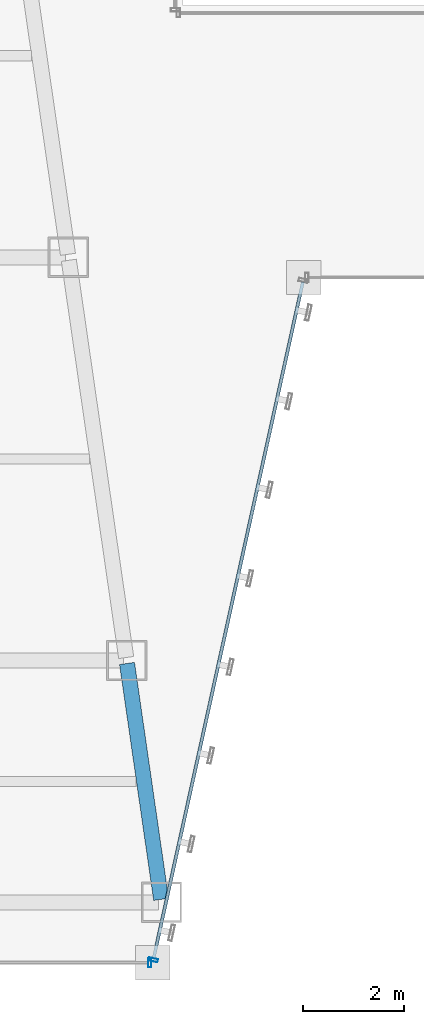
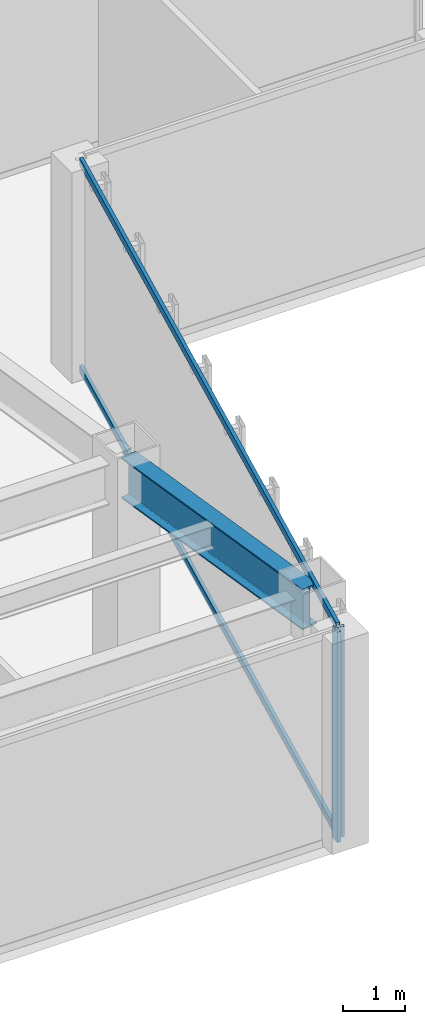
# One storey, part 7 of 49: 4 members, 1 beam, 2 elements without a shape of their own.
"""IFC4 building model written with IfcOpenShell, lengths in metres."""

from ifc_helpers import new_model, si_unit, direction, frame, origin, origin_2d, place, context, subcontext, project, spatial, hollow_rectangle, i_section, extrude, material, material_profile, profile_set, type_object, element, aggregate, save


model = new_model("IFC4")

# Units and contexts
model_context = context("Model", 3, precision=1e-05, world=origin(), true_north=direction((0.0, 1.0)))
body_context = subcontext(model_context, "Body", "Model", "MODEL_VIEW")
ifc_project = project(units=[si_unit("LENGTHUNIT", "METRE"), si_unit("AREAUNIT", "SQUARE_METRE"), si_unit("VOLUMEUNIT", "CUBIC_METRE"), si_unit("PLANEANGLEUNIT", "RADIAN"), si_unit("MASSUNIT", "GRAM", prefix="KILO")], contexts=[model_context])

# Site, building, storey
site_placement = place(None, origin())
site = spatial("IfcSite", under=ifc_project, at=site_placement, CompositionType="ELEMENT")
building_placement = place(site_placement, origin())
building = spatial("IfcBuilding", under=site, at=building_placement, Name="Saevonmaru Cultural Tower", CompositionType="ELEMENT")
storey_placement = place(building_placement, frame((0.0, 0.0, 73.60009765625)))
storey = spatial("IfcBuildingStorey", under=building, at=storey_placement, Name="L15", CompositionType="ELEMENT", Elevation=73.60009765625)

# Beam
ifc_material_1 = material(Name="Steel SM420", Category="steel")
ifc_material_profile_1 = material_profile(ifc_material_1, i_section(OverallWidth=0.300048828125, OverallDepth=0.800048828125, WebThickness=0.013916015625, FlangeThickness=0.02587890625, FilletRadius=0.028076171875, at=origin_2d()), Name="H-800x300x14x26")
ifc_profile_set_1 = profile_set([ifc_material_profile_1], Name="Steel SM420")
beam_type = type_object("IfcBeamType", Name="BM-G-H800", PredefinedType="BEAM", material=ifc_profile_set_1)
beam_placement = place(storey_placement, frame((23.768310546875, 3.259521484375, 3.75), z_axis=(-0.143083234893, 0.989710658674, 0.0), x_axis=(-0.989710658674, -0.143083234893, 0.0)))
element("IfcBeam", 1, at=beam_placement, inside=storey, type_object=beam_type, Name="L15 West Atrium Girder 1", PredefinedType="BEAM", context=body_context, shape_type="SweptSolid", body=[
    extrude(i_section(OverallWidth=0.300048828125, OverallDepth=0.800048828125, WebThickness=0.013916015625, FlangeThickness=0.02587890625, FilletRadius=0.028076171875, at=origin_2d()), origin(), (0.0, 0.0, 1.0), 4.729736328125),
])

# Curtain wall, member
ifc_material_2 = material(Name="Satin Bronze Anodised Aluminium", Category="aluminium")
curtain_wall_type = type_object("IfcCurtainWallType", Name="CW-TYP-A", PredefinedType="NOTDEFINED", material=ifc_material_2)
curtain_wall_1_placement = place(storey_placement, origin())
curtain_wall_1 = element("IfcCurtainWall", 2, at=curtain_wall_1_placement, inside=storey, type_object=curtain_wall_type, Name="L15 Unitised Curtain Wall E2", PredefinedType="NOTDEFINED")
ifc_material_profile_2 = material_profile(ifc_material_2, hollow_rectangle(XDim=0.06494140625, YDim=0.179931640625, WallThickness=0.00390625, at=origin_2d()), Name="ALU-MULL-180x65x4")
ifc_profile_set_2 = profile_set([ifc_material_profile_2], Name="Satin Bronze Anodised Aluminium")
member_type_1 = type_object("IfcMemberType", Name="ML-CW-180x65", PredefinedType="MULLION", material=ifc_profile_set_2)
member_1_placement = place(storey_placement, frame((23.5400390625, 2.0, 0.0), z_axis=(0.0, 0.0, 1.0), x_axis=(1.0, 0.0, 0.0)))
member_1 = element("IfcMember", 3, at=member_1_placement, type_object=member_type_1, Name="CW-TW-L15-E2 mullion 2", PredefinedType="MULLION", context=body_context, shape_type="SweptSolid", body=[
    extrude(hollow_rectangle(XDim=0.06494140625, YDim=0.179931640625, WallThickness=0.00390625, at=origin_2d()), origin(), (0.0, 0.0, 1.0), 4.14990234375),
])
aggregate(curtain_wall_1, [member_1])

# Curtain wall, members
curtain_wall_2_placement = place(storey_placement, origin())
curtain_wall_2 = element("IfcCurtainWall", 4, at=curtain_wall_2_placement, inside=storey, type_object=curtain_wall_type, Name="L15 Unitised Curtain Wall E3", PredefinedType="NOTDEFINED")
member_2_placement = place(storey_placement, frame((23.61279296875, 2.05859375, 0.0), z_axis=(0.0, 0.0, 1.0), x_axis=(0.215413319953, 0.976522965212, 0.0)))
member_2 = element("IfcMember", 5, at=member_2_placement, type_object=member_type_1, Name="CW-TW-L15-E3 mullion 1", PredefinedType="MULLION", context=body_context, shape_type="SweptSolid", body=[
    extrude(hollow_rectangle(XDim=0.06494140625, YDim=0.179931640625, WallThickness=0.00390625, at=origin_2d()), origin(), (0.0, 0.0, 1.0), 4.14990234375),
])
ifc_material_profile_3 = material_profile(ifc_material_2, hollow_rectangle(XDim=0.06494140625, YDim=0.14990234375, WallThickness=0.00390625, at=origin_2d()), Name="ALU-TRAN-150x65x4")
ifc_profile_set_3 = profile_set([ifc_material_profile_3], Name="Satin Bronze Anodised Aluminium")
member_type_2 = type_object("IfcMemberType", Name="TR-CW-150x65", PredefinedType="USERDEFINED", material=ifc_profile_set_3)
member_3_placement = place(storey_placement, frame((23.619873046875, 2.09033203125, 0.032470703125), z_axis=(0.21541214732, 0.976523223885, 0.0), x_axis=(-0.976523223885, 0.21541214732, 0.0)))
member_3 = element("IfcMember", 6, at=member_3_placement, type_object=member_type_2, Name="CW-TW-L15-E3 transom 1.1", ObjectType="TRANSOM", PredefinedType="USERDEFINED", context=body_context, shape_type="SweptSolid", body=[
    extrude(hollow_rectangle(XDim=0.06494140625, YDim=0.14990234375, WallThickness=0.00390625, at=origin_2d()), origin(), (0.0, 0.0, 1.0), 13.741943359375),
])
member_4_placement = place(storey_placement, frame((23.619873046875, 2.09033203125, 4.117431640625), z_axis=(0.21541214732, 0.976523223885, 0.0), x_axis=(-0.976523223885, 0.21541214732, 0.0)))
member_4 = element("IfcMember", 7, at=member_4_placement, type_object=member_type_2, Name="CW-TW-L15-E3 transom 1.2", ObjectType="TRANSOM", PredefinedType="USERDEFINED", context=body_context, shape_type="SweptSolid", body=[
    extrude(hollow_rectangle(XDim=0.06494140625, YDim=0.14990234375, WallThickness=0.00390625, at=origin_2d()), origin(), (0.0, 0.0, 1.0), 13.741943359375),
])
aggregate(curtain_wall_2, [member_2, member_3, member_4])

save(model, "model.ifc")
